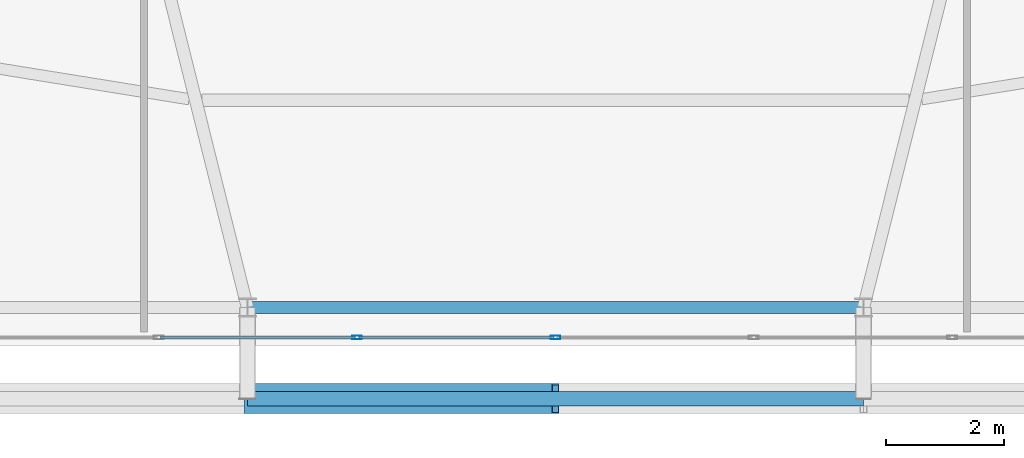
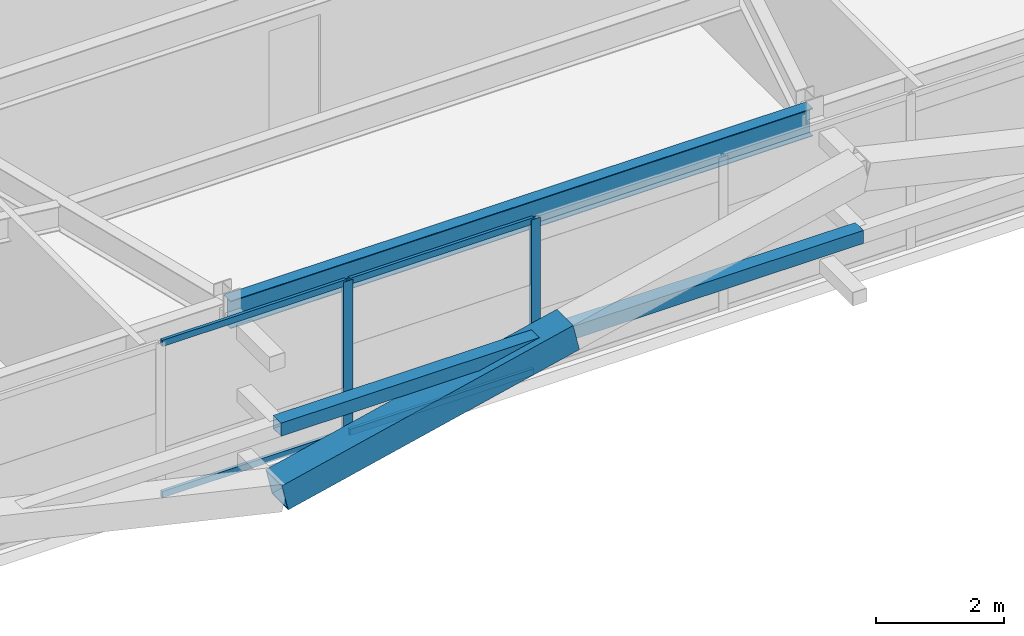
# One storey, part 12 of 59: 8 members, 1 beam, 1 element without a shape of its own.
"""IFC4 building model written with IfcOpenShell, lengths in metres."""

from ifc_helpers import new_model, si_unit, direction, frame, origin, origin_2d, place, context, subcontext, project, spatial, hollow_rectangle, i_section, extrude, source, transform, mapped, material, layer, layer_set, material_profile, profile_set, type_object, element, aggregate, save


model = new_model("IFC4")

# Units and contexts
model_context = context("Model", 3, precision=1e-05, world=origin(), true_north=direction((0.0, 1.0)))
body_context = subcontext(model_context, "Body", "Model", "MODEL_VIEW")
ifc_project = project(units=[si_unit("LENGTHUNIT", "METRE"), si_unit("AREAUNIT", "SQUARE_METRE"), si_unit("VOLUMEUNIT", "CUBIC_METRE"), si_unit("PLANEANGLEUNIT", "RADIAN"), si_unit("MASSUNIT", "GRAM", prefix="KILO")], contexts=[model_context])

# Site, building, storey
site_placement = place(None, origin())
site = spatial("IfcSite", under=ifc_project, at=site_placement, CompositionType="ELEMENT")
building_placement = place(site_placement, origin())
building = spatial("IfcBuilding", under=site, at=building_placement, Name="Taldren Reach Tower", CompositionType="ELEMENT")
storey_placement = place(building_placement, frame((0.0, 0.0, 29.39990234375)))
storey = spatial("IfcBuildingStorey", under=building, at=storey_placement, Name="L08", CompositionType="ELEMENT", Elevation=29.39990234375)

# Beam
ifc_material_1 = material(Name="Steel Gr 350 (350PLUS)", Category="steel")
ifc_material_profile_1 = material_profile(ifc_material_1, i_section(OverallWidth=0.208984375, OverallDepth=0.528076171875, WebThickness=0.009521484375, FlangeThickness=0.01318359375, at=origin_2d()), Name="530UB82.0")
ifc_profile_set_1 = profile_set([ifc_material_profile_1], Name="Steel Gr 350 (350PLUS)")
beam_type = type_object("IfcBeamType", Name="SP-UB530B", PredefinedType="SPANDREL", material=ifc_profile_set_1)
shared_shape_1 = source(origin(), body_context, "Body", "SweptSolid", [
    extrude(i_section(OverallWidth=0.208984375, OverallDepth=0.528076171875, WebThickness=0.009521484375, FlangeThickness=0.01318359375, at=origin_2d()), origin(), (0.0, 0.0, 1.0), 10.47998046875),
])
beam_placement = place(storey_placement, frame((29.760009765625, 2.14990234375, 2.666015625), z_axis=(1.0, 0.0, 0.0), x_axis=(0.0, 1.0, 0.0)))
element("IfcBeam", 1, at=beam_placement, inside=storey, type_object=beam_type, Name="Perimeter spandrel B1 S3-S4 L08", PredefinedType="SPANDREL", context=body_context, shape_type="MappedRepresentation", body=[
    mapped(shared_shape_1, transform((0.0, 0.0, 0.0), scale=1.0)),
])

# Members
ifc_material_2 = material(Name="Steel Gr 450 (C450L0)", Category="steel")
ifc_material_profile_2 = material_profile(ifc_material_2, hollow_rectangle(XDim=0.510009765625, YDim=0.510009765625, WallThickness=0.02001953125, at=origin_2d()), Name="510x510x20.0SHS")
ifc_profile_set_2 = profile_set([ifc_material_profile_2], Name="Steel Gr 450 (C450L0)")
member_type_1 = type_object("IfcMemberType", Name="MB-EXO508", PredefinedType="BRACE", material=ifc_profile_set_2)
shared_shape_2 = source(origin(), body_context, "Body", "SweptSolid", [
    extrude(hollow_rectangle(XDim=0.510009765625, YDim=0.510009765625, WallThickness=0.02001953125, at=origin_2d()), origin(), (0.0, 0.0, 1.0), 5.37890625),
])
member_1_placement = place(storey_placement, frame((29.760009765625, 0.60009765625, 0.22021484375), z_axis=(0.974161966843, 0.0, 0.225850531007), x_axis=(0.0, 1.0, 0.0)))
element("IfcMember", 2, at=member_1_placement, inside=storey, type_object=member_type_1, Name="Exoskeleton Diagrid Brace B1-S3 L08", PredefinedType="BRACE", context=body_context, shape_type="MappedRepresentation", body=[
    mapped(shared_shape_2, transform((0.0, 0.0, 0.0), scale=1.0)),
])
ifc_material_3 = material(Name="Steel Gr 350 (C350L0)", Category="steel")
ifc_material_profile_3 = material_profile(ifc_material_3, hollow_rectangle(XDim=0.25, YDim=0.25, WallThickness=0.010009765625, at=origin_2d()), Name="250x250x10.0SHS")
ifc_profile_set_3 = profile_set([ifc_material_profile_3], Name="Steel Gr 350 (C350L0)")
member_type_2 = type_object("IfcMemberType", Name="MB-POST250", PredefinedType="POST", material=ifc_profile_set_3)
shared_shape_3 = source(origin(), body_context, "Body", "SweptSolid", [
    extrude(hollow_rectangle(XDim=0.25, YDim=0.25, WallThickness=0.010009765625, at=origin_2d()), origin(), (0.0, 0.0, 1.0), 10.47998046875),
])
member_2_placement = place(storey_placement, frame((29.760009765625, 0.60009765625, 1.43505859375), z_axis=(1.0, 0.0, 0.0), x_axis=(0.0, 1.0, 0.0)))
element("IfcMember", 3, at=member_2_placement, inside=storey, type_object=member_type_2, Name="Exoskeleton mid-height ring chord B1-S3 L08", PredefinedType="POST", context=body_context, shape_type="MappedRepresentation", body=[
    mapped(shared_shape_3, transform((0.0, 0.0, 0.0), scale=1.0)),
])

# Curtain wall, members
ifc_material_4 = material(Name="Aluminium and Low-E Glass Unitised System", Category="aluminium")
ifc_layer = layer(ifc_material_4, 0.159912109375)
ifc_layer_set = layer_set([ifc_layer], Name="Aluminium and Low-E Glass Unitised System")
curtain_wall_type = type_object("IfcCurtainWallType", Name="CW-SYS-2", PredefinedType="NOTDEFINED", material=ifc_layer_set)
curtain_wall_placement = place(storey_placement, origin())
curtain_wall = element("IfcCurtainWall", 4, at=curtain_wall_placement, inside=storey, type_object=curtain_wall_type, Name="Unitised curtain wall CW-L08-S", PredefinedType="NOTDEFINED")
ifc_material_5 = material(Name="Anodised Aluminium 6063-T6", Category="aluminium")
ifc_material_profile_4 = material_profile(ifc_material_5, hollow_rectangle(XDim=0.054931640625, YDim=0.1201171875, WallThickness=0.0029296875, at=origin_2d()), Name="ALU-120x55x3RHS")
ifc_profile_set_4 = profile_set([ifc_material_profile_4], Name="Anodised Aluminium 6063-T6")
member_type_3 = type_object("IfcMemberType", Name="CW-TRN-135", PredefinedType="USERDEFINED", material=ifc_profile_set_4)
shared_shape_4 = source(origin(), body_context, "Body", "SweptSolid", [
    extrude(hollow_rectangle(XDim=0.054931640625, YDim=0.1201171875, WallThickness=0.0029296875, at=origin_2d()), origin(), (0.0, 0.0, 1.0), 3.31005859375),
])
member_3_placement = place(storey_placement, frame((28.282470703125, 1.639892578125, 0.027587890625), z_axis=(1.0, 0.0, 0.0), x_axis=(0.0, 1.0, 0.0)))
member_3 = element("IfcMember", 5, at=member_3_placement, type_object=member_type_3, Name="CW-2 transom 7.1", ObjectType="TRANSOM", PredefinedType="USERDEFINED", context=body_context, shape_type="MappedRepresentation", body=[
    mapped(shared_shape_4, transform((0.0, 0.0, 0.0), scale=1.0)),
])
member_4_placement = place(storey_placement, frame((28.282470703125, 1.639892578125, 2.902587890625), z_axis=(1.0, 0.0, 0.0), x_axis=(0.0, 1.0, 0.0)))
member_4 = element("IfcMember", 6, at=member_4_placement, type_object=member_type_3, Name="CW-2 transom 7.2", ObjectType="TRANSOM", PredefinedType="USERDEFINED", context=body_context, shape_type="MappedRepresentation", body=[
    mapped(shared_shape_4, transform((0.0, 0.0, 0.0), scale=1.0)),
])
member_5_placement = place(storey_placement, frame((31.657470703125, 1.639892578125, 0.027587890625), z_axis=(1.0, 0.0, 0.0), x_axis=(0.0, 1.0, 0.0)))
member_5 = element("IfcMember", 7, at=member_5_placement, type_object=member_type_3, Name="CW-2 transom 8.1", ObjectType="TRANSOM", PredefinedType="USERDEFINED", context=body_context, shape_type="MappedRepresentation", body=[
    mapped(shared_shape_4, transform((0.0, 0.0, 0.0), scale=1.0)),
])
member_6_placement = place(storey_placement, frame((31.657470703125, 1.639892578125, 2.902587890625), z_axis=(1.0, 0.0, 0.0), x_axis=(0.0, 1.0, 0.0)))
member_6 = element("IfcMember", 8, at=member_6_placement, type_object=member_type_3, Name="CW-2 transom 8.2", ObjectType="TRANSOM", PredefinedType="USERDEFINED", context=body_context, shape_type="MappedRepresentation", body=[
    mapped(shared_shape_4, transform((0.0, 0.0, 0.0), scale=1.0)),
])
ifc_material_profile_5 = material_profile(ifc_material_5, hollow_rectangle(XDim=0.06494140625, YDim=0.1650390625, WallThickness=0.00390625, at=origin_2d()), Name="ALU-165x65x4RHS")
ifc_profile_set_5 = profile_set([ifc_material_profile_5], Name="Anodised Aluminium 6063-T6")
member_type_4 = type_object("IfcMemberType", Name="CW-MUL-165", PredefinedType="MULLION", material=ifc_profile_set_5)
shared_shape_5 = source(origin(), body_context, "Body", "SweptSolid", [
    extrude(hollow_rectangle(XDim=0.06494140625, YDim=0.1650390625, WallThickness=0.00390625, at=origin_2d()), origin(), (0.0, 0.0, 1.0), 2.93017578125),
])
member_7_placement = place(storey_placement, frame((31.625, 1.639892578125, 0.0), z_axis=(0.0, 0.0, 1.0), x_axis=(0.0, 1.0, 0.0)))
member_7 = element("IfcMember", 9, at=member_7_placement, type_object=member_type_4, Name="CW-2 mullion 8", PredefinedType="MULLION", context=body_context, shape_type="MappedRepresentation", body=[
    mapped(shared_shape_5, transform((0.0, 0.0, 0.0), scale=1.0)),
])
member_8_placement = place(storey_placement, frame((35.0, 1.639892578125, 0.0), z_axis=(0.0, 0.0, 1.0), x_axis=(0.0, 1.0, 0.0)))
member_8 = element("IfcMember", 10, at=member_8_placement, type_object=member_type_4, Name="CW-2 mullion 9", PredefinedType="MULLION", context=body_context, shape_type="MappedRepresentation", body=[
    mapped(shared_shape_5, transform((0.0, 0.0, 0.0), scale=1.0)),
])
aggregate(curtain_wall, [member_7, member_8, member_3, member_4, member_5, member_6])

save(model, "model.ifc")
